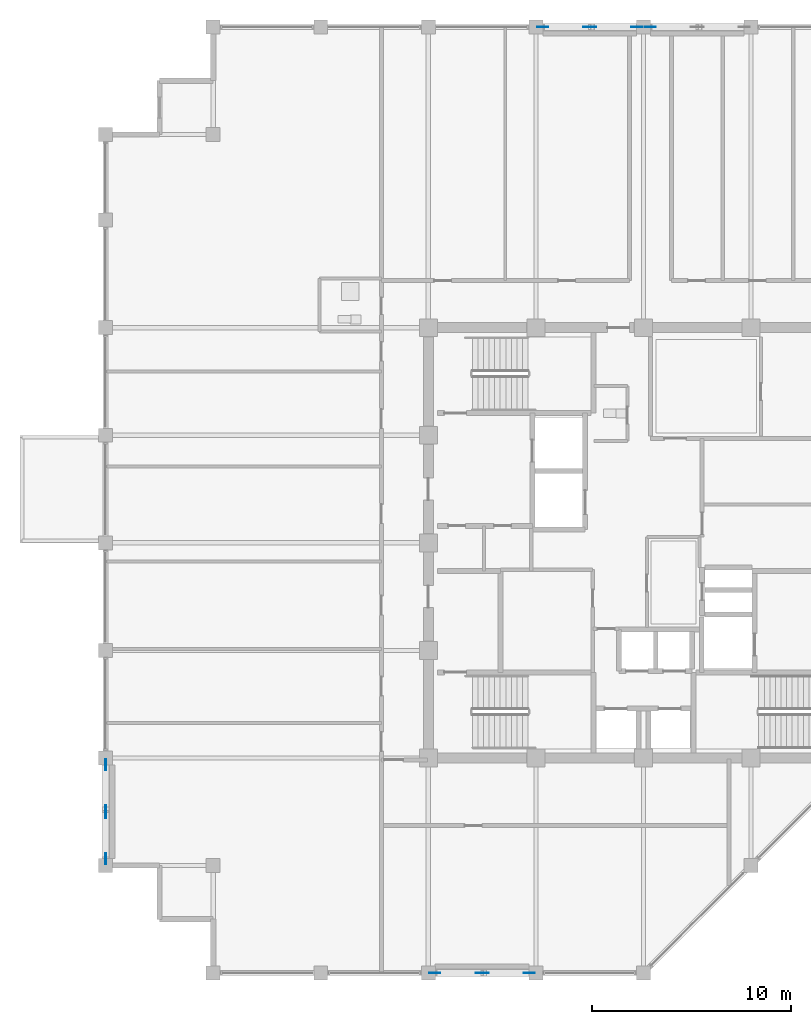
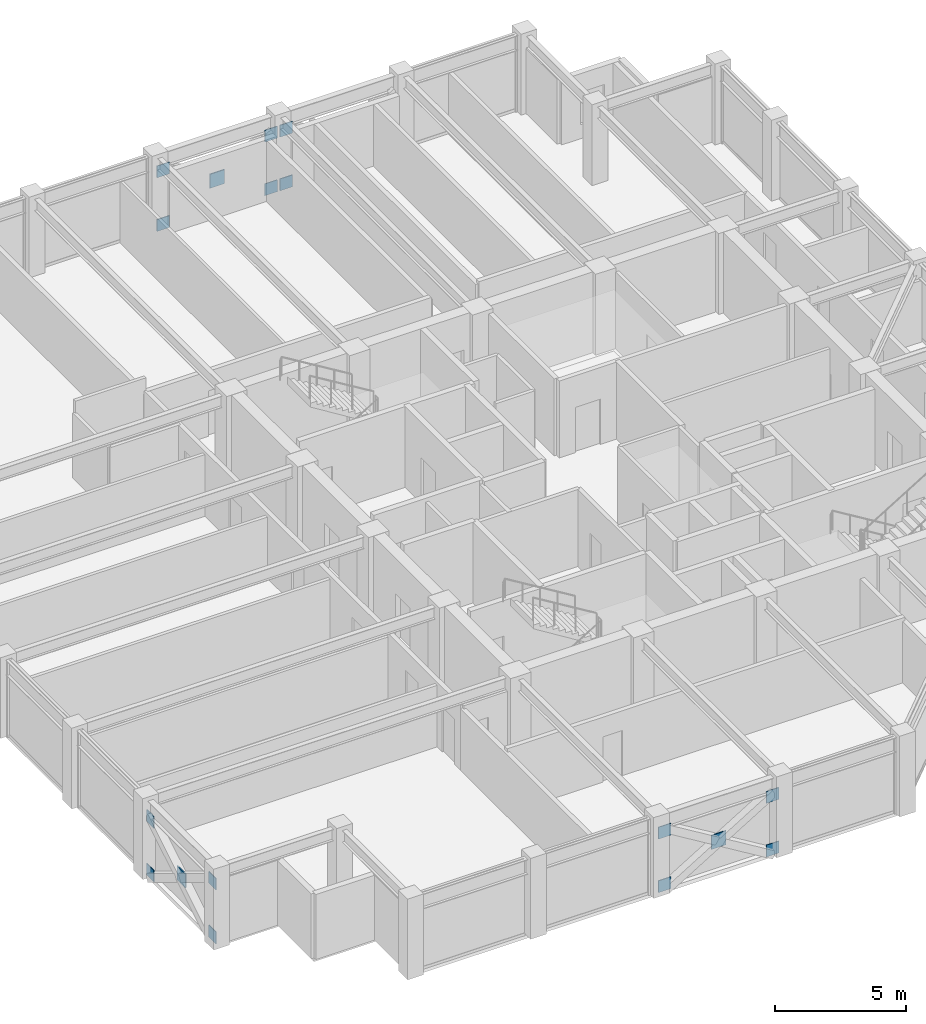
# One storey, part 22 of 29: 17 plates.
"""IFC4 building model written with IfcOpenShell, lengths in metres."""

from ifc_helpers import new_model, si_unit, direction, frame, origin, origin_2d, place, context, subcontext, project, spatial, rectangle, extrude, material, layer, layer_set, type_object, element, save


model = new_model("IFC4")

# Units and contexts
model_context = context("Model", 3, precision=1e-05, world=origin(), true_north=direction((0.0, 1.0)))
body_context = subcontext(model_context, "Body", "Model", "MODEL_VIEW")
ifc_project = project(units=[si_unit("LENGTHUNIT", "METRE"), si_unit("AREAUNIT", "SQUARE_METRE"), si_unit("VOLUMEUNIT", "CUBIC_METRE"), si_unit("PLANEANGLEUNIT", "RADIAN"), si_unit("MASSUNIT", "GRAM", prefix="KILO")], contexts=[model_context])

# Site, building, storey
site_placement = place(None, origin())
site = spatial("IfcSite", under=ifc_project, at=site_placement, CompositionType="ELEMENT")
building_placement = place(site_placement, origin())
building = spatial("IfcBuilding", under=site, at=building_placement, Name="Surkhivell Harbour Commons", CompositionType="ELEMENT")
storey_placement = place(building_placement, frame((0.0, 0.0, 326.25)))
storey = spatial("IfcBuildingStorey", under=building, at=storey_placement, Name="L85", CompositionType="ELEMENT", Elevation=326.25)

# Plates
ifc_material = material(Name="Steel S460", Category="steel")
ifc_layer_1 = layer(ifc_material, 0.035888671875)
ifc_layer_set_1 = layer_set([ifc_layer_1], Name="Steel S460")
plate_type_1 = type_object("IfcPlateType", Name="PLT-GUS-550", PredefinedType="USERDEFINED", material=ifc_layer_set_1)
for number, where, z_axis, x_axis, name in (
    (1, (-5.06494140625, 25.89990234375, -0.07470703125), (0.0, 0.0, 1.0), (1.0, 0.0, 0.0), "L85 Perimeter Mega-Brace MB- Corner Gusset N-1"),
    (2, (-0.3349609375, 25.89990234375, -0.07470703125), (0.0, 0.0, 1.0), (1.0, 0.0, 0.0), "L85 Perimeter Mega-Brace MB- Corner Gusset N-2"),
    (3, (-5.06494140625, 25.89990234375, 2.41357421875), (0.0, 0.0, 1.0), (1.0, 0.0, 0.0), "L85 Perimeter Mega-Brace MB- Corner Gusset N-3"),
    (4, (-0.3349609375, 25.89990234375, 2.41357421875), (0.0, 0.0, 1.0), (1.0, 0.0, 0.0), "L85 Perimeter Mega-Brace MB- Corner Gusset N-4"),
    (5, (0.3349609375, 25.89990234375, -0.07470703125), (0.0, 0.0, 1.0), (1.0, 0.0, 0.0), "L85 Perimeter Mega-Brace MB- Corner Gusset N2-1"),
    (6, (0.3349609375, 25.89990234375, 2.41357421875), (0.0, 0.0, 1.0), (1.0, 0.0, 0.0), "L85 Perimeter Mega-Brace MB- Corner Gusset N2-3"),
    (7, (-10.465087890625, -21.60009765625, -0.07470703125), (0.0, 0.0, 1.0), (1.0, 0.0, 0.0), "L85 Perimeter Mega-Brace MB- Corner Gusset S-1"),
    (8, (-5.735107421875, -21.60009765625, -0.07470703125), (0.0, 0.0, 1.0), (1.0, 0.0, 0.0), "L85 Perimeter Mega-Brace MB- Corner Gusset S-2"),
    (9, (-10.465087890625, -21.60009765625, 2.41357421875), (0.0, 0.0, 1.0), (1.0, 0.0, 0.0), "L85 Perimeter Mega-Brace MB- Corner Gusset S-3"),
    (10, (-5.735107421875, -21.60009765625, 2.41357421875), (0.0, 0.0, 1.0), (1.0, 0.0, 0.0), "L85 Perimeter Mega-Brace MB- Corner Gusset S-4"),
    (11, (-27.0, -15.864990234375, -0.07470703125), (0.0, 0.0, 1.0), (0.0, 1.0, 0.0), "L85 Perimeter Mega-Brace MB- Corner Gusset W-1"),
    (12, (-27.0, -11.135009765625, -0.07470703125), (0.0, 0.0, 1.0), (0.0, 1.0, 0.0), "L85 Perimeter Mega-Brace MB- Corner Gusset W-2"),
    (13, (-27.0, -15.864990234375, 2.41357421875), (0.0, 0.0, 1.0), (0.0, 1.0, 0.0), "L85 Perimeter Mega-Brace MB- Corner Gusset W-3"),
    (14, (-27.0, -11.135009765625, 2.41357421875), (0.0, 0.0, 1.0), (0.0, 1.0, 0.0), "L85 Perimeter Mega-Brace MB- Corner Gusset W-4"),
):
    element("IfcPlate", number, at=place(storey_placement, frame(where, z_axis=z_axis, x_axis=x_axis)), inside=storey, type_object=plate_type_1, Name=name, ObjectType="GUSSET_PLATE", PredefinedType="USERDEFINED", context=body_context, shape_type="SweptSolid", body=[
        extrude(rectangle(XDim=0.550048828125, YDim=0.035888671875, at=origin_2d()), origin(), (0.0, 0.0, 1.0), 0.550048828125),
    ])
ifc_layer_2 = layer(ifc_material, 0.044921875)
ifc_layer_set_2 = layer_set([ifc_layer_2], Name="Steel S460")
plate_type_2 = type_object("IfcPlateType", Name="PLT-GUS-650", PredefinedType="USERDEFINED", material=ifc_layer_set_2)
for number, where, z_axis, x_axis, name in (
    (15, (-2.699951171875, 25.89990234375, 1.11962890625), (0.0, 0.0, 1.0), (1.0, 0.0, 0.0), "L85 Perimeter Mega-Brace MB- Central Crossing Gusset N"),
    (16, (-8.10009765625, -21.60009765625, 1.11962890625), (0.0, 0.0, 1.0), (1.0, 0.0, 0.0), "L85 Perimeter Mega-Brace MB- Central Crossing Gusset S"),
    (17, (-27.0, -13.5, 1.11962890625), (0.0, 0.0, 1.0), (0.0, 1.0, 0.0), "L85 Perimeter Mega-Brace MB- Central Crossing Gusset W"),
):
    element("IfcPlate", number, at=place(storey_placement, frame(where, z_axis=z_axis, x_axis=x_axis)), inside=storey, type_object=plate_type_2, Name=name, ObjectType="GUSSET_PLATE", PredefinedType="USERDEFINED", context=body_context, shape_type="SweptSolid", body=[
        extrude(rectangle(XDim=0.64990234375, YDim=0.044921875, at=origin_2d()), origin(), (0.0, 0.0, 1.0), 0.64990234375),
    ])

save(model, "model.ifc")
